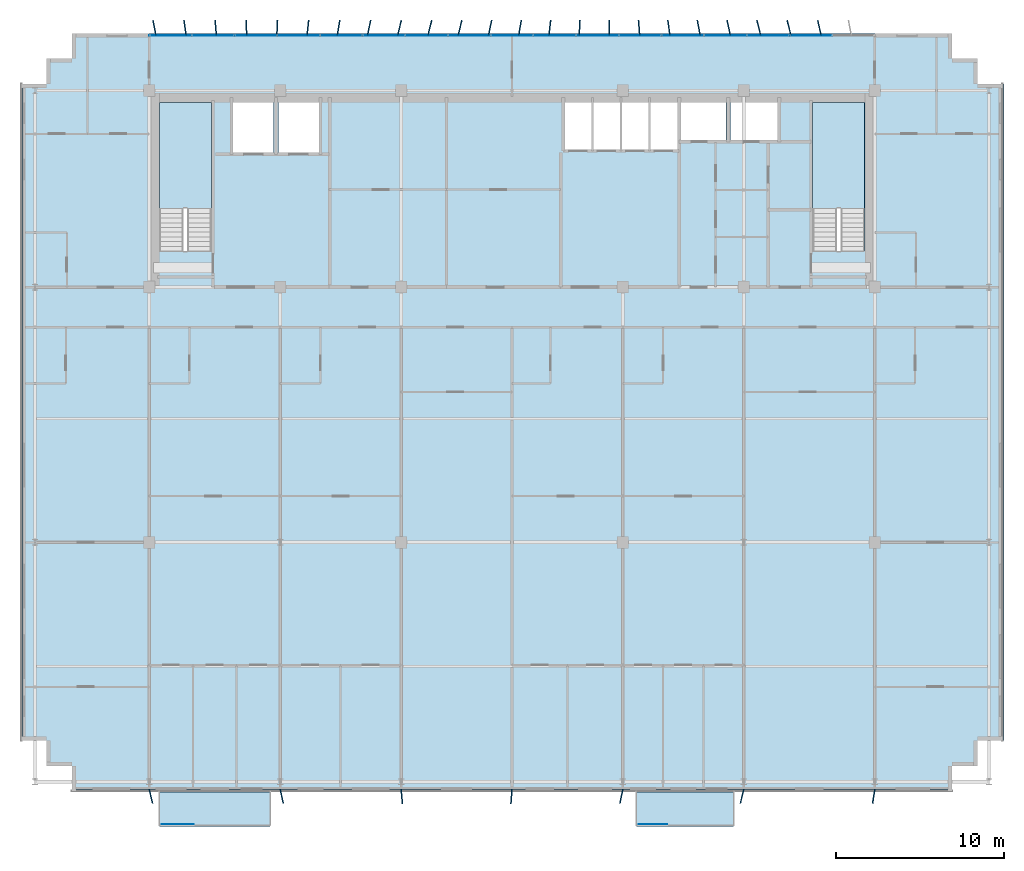
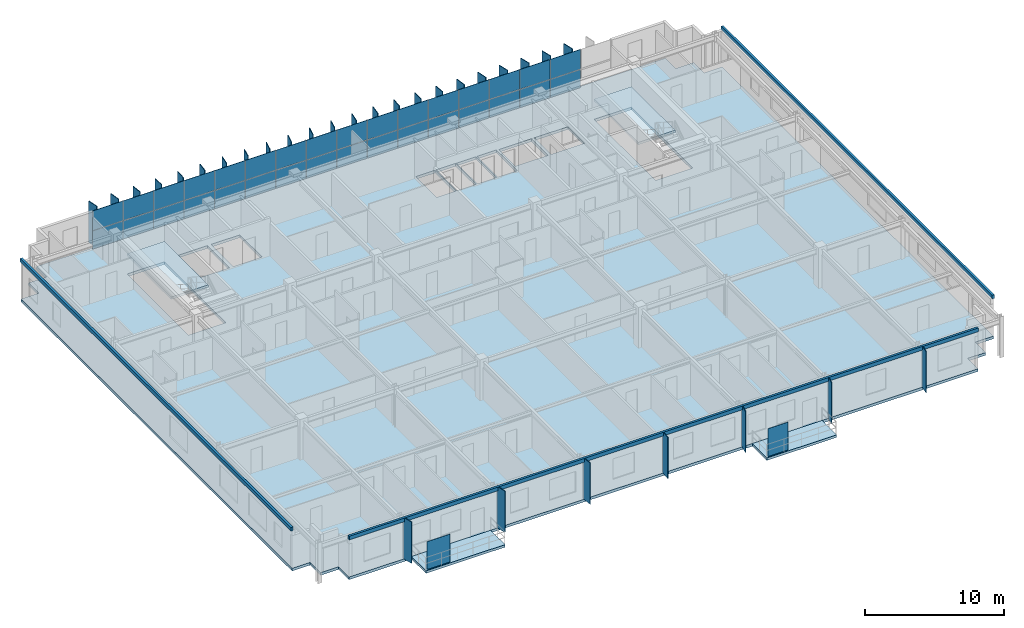
# One storey, part 15 of 23: 67 plates, 5 slabs, 3 elements without a shape of their own.
"""IFC4 building model written with IfcOpenShell, lengths in metres."""

from ifc_helpers import new_model, si_unit, direction, frame, origin, origin_2d, place, context, subcontext, project, spatial, polyline, rectangle, outline, extrude, source, transform, mapped, material, layer, layer_set, type_object, element, aggregate, save


model = new_model("IFC4")

# Units and contexts
model_context = context("Model", 3, precision=1e-05, world=origin(), true_north=direction((0.0, 1.0)))
body_context = subcontext(model_context, "Body", "Model", "MODEL_VIEW")
ifc_project = project(units=[si_unit("LENGTHUNIT", "METRE"), si_unit("AREAUNIT", "SQUARE_METRE"), si_unit("VOLUMEUNIT", "CUBIC_METRE"), si_unit("PLANEANGLEUNIT", "RADIAN"), si_unit("MASSUNIT", "GRAM", prefix="KILO")], contexts=[model_context])

# Site, building, storey
site_placement = place(None, origin())
site = spatial("IfcSite", under=ifc_project, at=site_placement, CompositionType="ELEMENT")
building_placement = place(site_placement, origin())
building = spatial("IfcBuilding", under=site, at=building_placement, Name="Trelvane Seafront Commons", CompositionType="ELEMENT")
storey_placement = place(building_placement, frame((0.0, 0.0, 222.89990234375)))
storey = spatial("IfcBuildingStorey", under=building, at=storey_placement, Name="L58", CompositionType="ELEMENT", Elevation=222.89990234375)

# Slabs
ifc_material_1 = material(Name="Concrete C40/50", Category="concrete")
ifc_layer_1 = layer(ifc_material_1, 0.219970703125, Name="ARCH-BALC-220")
ifc_layer_set_1 = layer_set([ifc_layer_1], Name="Concrete C40/50")
slab_type_1 = type_object("IfcSlabType", Name="ARCH-BALC-220", PredefinedType="FLOOR", material=ifc_layer_set_1)
slab_1_placement = place(storey_placement, frame((0.0, 0.0, -0.219970703125)))
element("IfcSlab", 1, at=slab_1_placement, inside=storey, type_object=slab_type_1, Name="L58 Cantilevered Tree Balcony Loggia 1", PredefinedType="FLOOR", context=body_context, shape_type="SweptSolid", body=[
    extrude(outline(polyline([(16.199951171875, 1.300048828125), (22.800048828125, 1.300048828125), (22.800048828125, 3.39990234375), (16.199951171875, 3.39990234375), (16.199951171875, 1.300048828125)])), origin(), (0.0, 0.0, 1.0), 0.219970703125),
])
slab_2_placement = place(storey_placement, frame((0.0, 0.0, -0.219970703125)))
element("IfcSlab", 2, at=slab_2_placement, inside=storey, type_object=slab_type_1, Name="L58 Cantilevered Tree Balcony Loggia 2", PredefinedType="FLOOR", context=body_context, shape_type="SweptSolid", body=[
    extrude(outline(polyline([(44.60009765625, 1.300048828125), (50.39990234375, 1.300048828125), (50.39990234375, 3.39990234375), (44.60009765625, 3.39990234375), (44.60009765625, 1.300048828125)])), origin(), (0.0, 0.0, 1.0), 0.219970703125),
])

# Stair, slab
stair_type_1 = type_object("IfcStairType", Name="ARCH-STR-ST-1-R20-180", PredefinedType="HALF_TURN_STAIR", material=ifc_material_1)
stair_1_placement = place(storey_placement, origin())
stair_1 = element("IfcStair", 3, at=stair_1_placement, inside=storey, type_object=stair_type_1, Name="L58 West Protected Firefighting Exit Stair ST-1", PredefinedType="HALF_TURN_STAIR")
ifc_layer_2 = layer(ifc_material_1, 0.199951171875, Name="ARCH-LND-200")
ifc_layer_set_2 = layer_set([ifc_layer_2], Name="Concrete C40/50")
slab_type_2 = type_object("IfcSlabType", Name="ARCH-LND-200", PredefinedType="LANDING", material=ifc_layer_set_2)
slab_3_placement = place(storey_placement, frame((0.0, 0.0, 1.60009765625)))
slab_3 = element("IfcSlab", 4, at=slab_3_placement, type_object=slab_type_2, Name="ST-1 landing 1", PredefinedType="LANDING", context=body_context, shape_type="SweptSolid", body=[
    extrude(outline(polyline([(19.300048828125, 38.070068359375), (19.300048828125, 44.39990234375), (16.199951171875, 44.39990234375), (16.199951171875, 38.070068359375), (19.300048828125, 38.070068359375)])), origin(), (0.0, 0.0, 1.0), 0.199951171875),
])
aggregate(stair_1, [slab_3])

stair_type_2 = type_object("IfcStairType", Name="ARCH-STR-ST-2-R20-180", PredefinedType="HALF_TURN_STAIR", material=ifc_material_1)
stair_2_placement = place(storey_placement, origin())
stair_2 = element("IfcStair", 5, at=stair_2_placement, inside=storey, type_object=stair_type_2, Name="L58 East Protected Firefighting Exit Stair ST-2", PredefinedType="HALF_TURN_STAIR")
slab_4_placement = place(storey_placement, frame((0.0, 0.0, 1.60009765625)))
slab_4 = element("IfcSlab", 6, at=slab_4_placement, type_object=slab_type_2, Name="ST-2 landing 1", PredefinedType="LANDING", context=body_context, shape_type="SweptSolid", body=[
    extrude(outline(polyline([(58.199951171875, 38.070068359375), (58.199951171875, 44.39990234375), (55.10009765625, 44.39990234375), (55.10009765625, 38.070068359375), (58.199951171875, 38.070068359375)])), origin(), (0.0, 0.0, 1.0), 0.199951171875),
])
aggregate(stair_2, [slab_4])

# Slab
ifc_material_2 = material(Name="Concrete C50/60", Category="concrete")
ifc_layer_3 = layer(ifc_material_2, 0.239990234375, Name="STR-SLB-Z4-240")
ifc_layer_set_3 = layer_set([ifc_layer_3], Name="Concrete C50/60")
slab_type_3 = type_object("IfcSlabType", Name="STR-SLB-Z4-240", PredefinedType="FLOOR", material=ifc_layer_set_3)
slab_5_placement = place(storey_placement, frame((0.0, 0.0, -0.239990234375)))
element("IfcSlab", 7, at=slab_5_placement, inside=storey, type_object=slab_type_3, Name="L58 Structural Floor Slab", PredefinedType="FLOOR", context=body_context, shape_type="SweptSolid", body=[
    extrude(outline(polyline([(11.0, 3.39990234375), (63.39990234375, 3.39990234375), (63.39990234375, 4.89990234375), (64.89990234375, 4.89990234375), (64.89990234375, 6.39990234375), (66.39990234375, 6.39990234375), (66.39990234375, 45.5), (64.89990234375, 45.5), (64.89990234375, 47.0), (63.39990234375, 47.0), (63.39990234375, 48.5), (11.0, 48.5), (11.0, 47.0), (9.5, 47.0), (9.5, 45.5), (8.0, 45.5), (8.0, 6.39990234375), (9.5, 6.39990234375), (9.5, 4.89990234375), (11.0, 4.89990234375), (11.0, 3.39990234375)]), holes=[polyline([(19.300048828125, 35.550048828125), (16.199951171875, 35.550048828125), (16.199951171875, 44.39990234375), (19.300048828125, 44.39990234375), (19.300048828125, 35.550048828125)]), polyline([(58.199951171875, 35.550048828125), (55.10009765625, 35.550048828125), (55.10009765625, 44.39990234375), (58.199951171875, 44.39990234375), (58.199951171875, 35.550048828125)]), polyline([(23.0, 41.39990234375), (20.60009765625, 41.39990234375), (20.60009765625, 44.60009765625), (23.0, 44.60009765625), (23.0, 41.39990234375)]), polyline([(23.300048828125, 41.39990234375), (23.300048828125, 44.60009765625), (25.699951171875, 44.60009765625), (25.699951171875, 41.39990234375), (23.300048828125, 41.39990234375)]), polyline([(40.35009765625, 41.60009765625), (40.35009765625, 44.60009765625), (41.969970703125, 44.60009765625), (41.969970703125, 41.60009765625), (40.35009765625, 41.60009765625)]), polyline([(43.669921875, 41.60009765625), (42.050048828125, 41.60009765625), (42.050048828125, 44.60009765625), (43.669921875, 44.60009765625), (43.669921875, 41.60009765625)]), polyline([(45.3701171875, 41.60009765625), (43.75, 41.60009765625), (43.75, 44.60009765625), (45.3701171875, 44.60009765625), (45.3701171875, 41.60009765625)]), polyline([(47.070068359375, 41.60009765625), (45.449951171875, 41.60009765625), (45.449951171875, 44.60009765625), (47.070068359375, 44.60009765625), (47.070068359375, 41.60009765625)]), polyline([(47.25, 42.14990234375), (47.25, 44.550048828125), (49.949951171875, 44.550048828125), (49.949951171875, 42.14990234375), (47.25, 42.14990234375)]), polyline([(50.199951171875, 42.14990234375), (50.199951171875, 44.550048828125), (53.0, 44.550048828125), (53.0, 42.14990234375), (50.199951171875, 42.14990234375)])]), origin(), (0.0, 0.0, 1.0), 0.239990234375),
])

# Plates
ifc_material_3 = material(Name="Perforated anodised aluminium screen", Category="aluminium")
ifc_layer_4 = layer(ifc_material_3, 0.01611328125, Name="ARCH-PLATE-SCREEN")
ifc_layer_set_4 = layer_set([ifc_layer_4], Name="Perforated anodised aluminium screen")
plate_type_1 = type_object("IfcPlateType", Name="ARCH-PLATE-SCREEN", PredefinedType="USERDEFINED", material=ifc_layer_set_4)
shared_shape_1 = source(origin(), body_context, "Body", "SweptSolid", [
    extrude(rectangle(XDim=1.9140625, YDim=0.01611328125, at=origin_2d()), origin(), (0.0, 0.0, 1.0), 2.449951171875),
])
plate_1_placement = place(storey_placement, frame((17.306884765625, 1.419921875, 0.0), z_axis=(0.0, 0.0, 1.0), x_axis=(1.0, 0.0, 0.0)))
element("IfcPlate", 8, at=plate_1_placement, inside=storey, type_object=plate_type_1, Name="SCR-L58-00204", ObjectType="SCREEN", PredefinedType="USERDEFINED", context=body_context, shape_type="MappedRepresentation", body=[
    mapped(shared_shape_1, transform((0.0, 0.0, 0.0), x_axis=(1.0, 0.0, 0.0), y_axis=(0.0, 1.0, 0.0), z_axis=(0.0, 0.0, 1.0), scale=1.0)),
])
shared_shape_2 = source(origin(), body_context, "Body", "SweptSolid", [
    extrude(rectangle(XDim=1.681884765625, YDim=0.01611328125, at=origin_2d()), origin(), (0.0, 0.0, 1.0), 2.449951171875),
])
plate_2_placement = place(storey_placement, frame((45.591064453125, 1.419921875, 0.0), z_axis=(0.0, 0.0, 1.0), x_axis=(1.0, 0.0, 0.0)))
element("IfcPlate", 9, at=plate_2_placement, inside=storey, type_object=plate_type_1, Name="SCR-L58-00205", ObjectType="SCREEN", PredefinedType="USERDEFINED", context=body_context, shape_type="MappedRepresentation", body=[
    mapped(shared_shape_2, transform((0.0, 0.0, 0.0), x_axis=(1.0, 0.0, 0.0), y_axis=(0.0, 1.0, 0.0), z_axis=(0.0, 0.0, 1.0), scale=1.0)),
])
ifc_material_4 = material(Name="Anodised pale-silver aluminium", Category="aluminium")
ifc_layer_5 = layer(ifc_material_4, 0.06005859375, Name="ARCH-PLATE-FIN900")
ifc_layer_set_5 = layer_set([ifc_layer_5], Name="Anodised pale-silver aluminium")
plate_type_2 = type_object("IfcPlateType", Name="ARCH-PLATE-FIN900", PredefinedType="USERDEFINED", material=ifc_layer_set_5)
shared_shape_3 = source(origin(), body_context, "Body", "SweptSolid", [
    extrude(rectangle(XDim=0.89990234375, YDim=0.06005859375, at=origin_2d()), origin(), (0.0, 0.0, 1.0), 3.639892578125),
])
for number, where, z_axis, x_axis, name in (
    (10, (15.913818359375, 48.841796875, -0.02001953125), (0.0, 0.0, 1.0), (-0.191220161658, 0.981547171447, 0.0), "FIN-L58-01604"),
    (11, (17.735107421875, 48.84521484375, -0.02001953125), (0.0, 0.0, 1.0), (-0.144112682821, 0.989561283928, 0.0), "FIN-L58-01605"),
    (12, (19.561279296875, 48.848388671875, -0.02001953125), (0.0, 0.0, 1.0), (-0.085995979225, 0.996295484059, 0.0), "FIN-L58-01606"),
    (13, (21.390380859375, 48.849853515625, -0.02001953125), (0.0, 0.0, 1.0), (-0.021221610499, 0.999774796266, 0.0), "FIN-L58-01607"),
    (14, (23.22021484375, 48.849609375, -0.02001953125), (0.0, 0.0, 1.0), (0.045221761539, 0.998976972849, 0.0), "FIN-L58-01608"),
    (15, (25.048583984375, 48.847412109375, -0.02001953125), (0.0, 0.0, 1.0), (0.108113872959, 0.994138516744, 0.0), "FIN-L58-01609"),
    (16, (26.873291015625, 48.843994140625, -0.02001953125), (0.0, 0.0, 1.0), (0.162668162768, 0.986680834324, 0.0), "FIN-L58-01610"),
    (17, (28.692138671875, 48.840576171875, -0.02001953125), (0.0, 0.0, 1.0), (0.204890686211, 0.978784862319, 0.0), "FIN-L58-01611"),
    (18, (30.50439453125, 48.837646484375, -0.02001953125), (0.0, 0.0, 1.0), (0.231880330854, 0.972744320036, 0.0), "FIN-L58-01612"),
    (19, (32.308837890625, 48.836669921875, -0.02001953125), (0.0, 0.0, 1.0), (0.241881251735, 0.970305859025, 0.0), "FIN-L58-01613"),
    (20, (34.10546875, 48.83740234375, -0.02001953125), (0.0, 0.0, 1.0), (0.234214079679, 0.972185046624, 0.0), "FIN-L58-01614"),
    (21, (35.894287109375, 48.840087890625, -0.02001953125), (0.0, 0.0, 1.0), (0.209558833134, 0.977796039804, 0.0), "FIN-L58-01615"),
    (22, (37.676025390625, 48.843505859375, -0.02001953125), (0.0, 0.0, 1.0), (0.169225653885, 0.985577332363, 0.0), "FIN-L58-01616"),
    (23, (39.4521484375, 48.846923828125, -0.02001953125), (0.0, 0.0, 1.0), (0.116112560753, 0.993236061184, 0.0), "FIN-L58-01617"),
    (24, (41.224365234375, 48.849365234375, -0.02001953125), (0.0, 0.0, 1.0), (0.054110182913, 0.998534970897, 0.0), "FIN-L58-01618"),
    (25, (42.99462890625, 48.849853515625, -0.02001953125), (0.0, 0.0, 1.0), (-0.012112288829, 0.999926643539, 0.0), "FIN-L58-01619"),
    (26, (44.76513671875, 48.8486328125, -0.02001953125), (0.0, 0.0, 1.0), (-0.077444665028, 0.996996651879, 0.0), "FIN-L58-01620"),
    (27, (46.538330078125, 48.845703125, -0.02001953125), (0.0, 0.0, 1.0), (-0.136784127255, 0.990600879533, 0.0), "FIN-L58-01621"),
    (28, (48.31640625, 48.84228515625, -0.02001953125), (0.0, 0.0, 1.0), (-0.185549995244, 0.982634824981, 0.0), "FIN-L58-01622"),
    (29, (50.100830078125, 48.8388671875, -0.02001953125), (0.0, 0.0, 1.0), (-0.220435273856, 0.975401604489, 0.0), "FIN-L58-01623"),
    (30, (51.892333984375, 48.8369140625, -0.02001953125), (0.0, 0.0, 1.0), (-0.239109698229, 0.970992560328, 0.0), "FIN-L58-01624"),
    (31, (53.69189453125, 48.8369140625, -0.02001953125), (0.0, 0.0, 1.0), (-0.240234819351, 0.970714804446, 0.0), "FIN-L58-01625"),
    (32, (55.499267578125, 48.83837890625, -0.02001953125), (0.0, 0.0, 1.0), (-0.224007117856, 0.974587508205, 0.0), "FIN-L58-01626"),
):
    element("IfcPlate", number, at=place(storey_placement, frame(where, z_axis=z_axis, x_axis=x_axis)), inside=storey, type_object=plate_type_2, Name=name, ObjectType="FIN", PredefinedType="USERDEFINED", context=body_context, shape_type="MappedRepresentation", body=[
        mapped(shared_shape_3, transform((0.0, 0.0, 0.0), x_axis=(1.0, 0.0, 0.0), y_axis=(0.0, 1.0, 0.0), z_axis=(0.0, 0.0, 1.0), scale=1.0)),
    ])
shared_shape_4 = source(origin(), body_context, "Body", "SweptSolid", [
    extrude(rectangle(XDim=0.85009765625, YDim=0.06005859375, at=origin_2d()), origin(), (0.0, 0.0, 1.0), 3.639892578125),
])
for number, where, z_axis, x_axis, name in (
    (33, (15.70068359375, 3.087158203125, -0.02001953125), (0.0, 0.0, 1.0), (0.236939885153, -0.971524313038, 0.0), "FIN-S-L58-01628"),
    (34, (23.49072265625, 3.084716796875, -0.02001953125), (0.0, 0.0, 1.0), (0.213528296325, -0.976936879572, 0.0), "FIN-S-L58-01629"),
    (35, (30.63818359375, 3.07666015625, -0.02001953125), (0.0, 0.0, 1.0), (0.08987819883, -0.99595276463, 0.0), "FIN-S-L58-01630"),
    (36, (37.1669921875, 3.076416015625, -0.02001953125), (0.0, 0.0, 1.0), (-0.077416823599, -0.996998814154, 0.0), "FIN-S-L58-01631"),
    (37, (43.7119140625, 3.084228515625, -0.02001953125), (0.0, 0.0, 1.0), (-0.207054601937, -0.978329388201, 0.0), "FIN-S-L58-01632"),
    (38, (50.8984375, 3.08740234375, -0.02001953125), (0.0, 0.0, 1.0), (-0.2391842644, -0.970974195158, 0.0), "FIN-S-L58-01633"),
    (39, (58.73193359375, 3.08056640625, -0.02001953125), (0.0, 0.0, 1.0), (-0.160237812954, -0.987078438271, 0.0), "FIN-S-L58-01634"),
):
    element("IfcPlate", number, at=place(storey_placement, frame(where, z_axis=z_axis, x_axis=x_axis)), inside=storey, type_object=plate_type_2, Name=name, ObjectType="FIN", PredefinedType="USERDEFINED", context=body_context, shape_type="MappedRepresentation", body=[
        mapped(shared_shape_4, transform((0.0, 0.0, 0.0), x_axis=(1.0, 0.0, 0.0), y_axis=(0.0, 1.0, 0.0), z_axis=(0.0, 0.0, 1.0), scale=1.0)),
    ])

# Curtain wall, plates
curtain_wall_type = type_object("IfcCurtainWallType", Name="ARCH-CW5-UPTOWER", PredefinedType="NOTDEFINED", material=ifc_material_4)
curtain_wall_placement = place(storey_placement, origin())
curtain_wall = element("IfcCurtainWall", 40, at=curtain_wall_placement, inside=storey, type_object=curtain_wall_type, Name="CW-L58-0101", PredefinedType="NOTDEFINED")
ifc_material_5 = material(Name="Low-E coastal double glazing", Category="glass")
ifc_layer_6 = layer(ifc_material_5, 0.033935546875, Name="ARCH-CW-GLAZ-34")
ifc_layer_set_6 = layer_set([ifc_layer_6], Name="Low-E coastal double glazing")
plate_type_3 = type_object("IfcPlateType", Name="ARCH-CW-GLAZ-34", PredefinedType="CURTAIN_PANEL", material=ifc_layer_set_6)
shared_shape_5 = source(origin(), body_context, "Body", "SweptSolid", [
    extrude(rectangle(XDim=2.51708984375, YDim=0.033935546875, at=origin_2d()), origin(), (0.0, 0.0, 1.0), 1.594970703125),
])
plate_3_placement = place(storey_placement, frame((16.87060546875, 48.3701171875, 0.0), z_axis=(0.0, 0.0, 1.0), x_axis=(1.0, 0.0, 0.0)))
plate_3 = element("IfcPlate", 41, at=plate_3_placement, type_object=plate_type_3, Name="CW-L58-0101-P00-1", PredefinedType="CURTAIN_PANEL", context=body_context, shape_type="MappedRepresentation", body=[
    mapped(shared_shape_5, transform((0.0, 0.0, 0.0), x_axis=(1.0, 0.0, 0.0), y_axis=(0.0, 1.0, 0.0), z_axis=(0.0, 0.0, 1.0), scale=1.0)),
])
plate_4_placement = place(storey_placement, frame((19.411865234375, 48.3701171875, 0.0), z_axis=(0.0, 0.0, 1.0), x_axis=(1.0, 0.0, 0.0)))
plate_4 = element("IfcPlate", 42, at=plate_4_placement, type_object=plate_type_3, Name="CW-L58-0101-P01-1", PredefinedType="CURTAIN_PANEL", context=body_context, shape_type="MappedRepresentation", body=[
    mapped(shared_shape_5, transform((0.0, 0.0, 0.0), x_axis=(1.0, 0.0, 0.0), y_axis=(0.0, 1.0, 0.0), z_axis=(0.0, 0.0, 1.0), scale=1.0)),
])
plate_5_placement = place(storey_placement, frame((21.952880859375, 48.3701171875, 0.0), z_axis=(0.0, 0.0, 1.0), x_axis=(1.0, 0.0, 0.0)))
plate_5 = element("IfcPlate", 43, at=plate_5_placement, type_object=plate_type_3, Name="CW-L58-0101-P02-1", PredefinedType="CURTAIN_PANEL", context=body_context, shape_type="MappedRepresentation", body=[
    mapped(shared_shape_5, transform((0.0, 0.0, 0.0), x_axis=(1.0, 0.0, 0.0), y_axis=(0.0, 1.0, 0.0), z_axis=(0.0, 0.0, 1.0), scale=1.0)),
])
plate_6_placement = place(storey_placement, frame((24.494140625, 48.3701171875, 0.0), z_axis=(0.0, 0.0, 1.0), x_axis=(1.0, 0.0, 0.0)))
plate_6 = element("IfcPlate", 44, at=plate_6_placement, type_object=plate_type_3, Name="CW-L58-0101-P03-1", PredefinedType="CURTAIN_PANEL", context=body_context, shape_type="MappedRepresentation", body=[
    mapped(shared_shape_5, transform((0.0, 0.0, 0.0), x_axis=(1.0, 0.0, 0.0), y_axis=(0.0, 1.0, 0.0), z_axis=(0.0, 0.0, 1.0), scale=1.0)),
])
plate_7_placement = place(storey_placement, frame((27.035400390625, 48.3701171875, 0.0), z_axis=(0.0, 0.0, 1.0), x_axis=(1.0, 0.0, 0.0)))
plate_7 = element("IfcPlate", 45, at=plate_7_placement, type_object=plate_type_3, Name="CW-L58-0101-P04-1", PredefinedType="CURTAIN_PANEL", context=body_context, shape_type="MappedRepresentation", body=[
    mapped(shared_shape_5, transform((0.0, 0.0, 0.0), x_axis=(1.0, 0.0, 0.0), y_axis=(0.0, 1.0, 0.0), z_axis=(0.0, 0.0, 1.0), scale=1.0)),
])
plate_8_placement = place(storey_placement, frame((29.576416015625, 48.3701171875, 0.0), z_axis=(0.0, 0.0, 1.0), x_axis=(1.0, 0.0, 0.0)))
plate_8 = element("IfcPlate", 46, at=plate_8_placement, type_object=plate_type_3, Name="CW-L58-0101-P05-1", PredefinedType="CURTAIN_PANEL", context=body_context, shape_type="MappedRepresentation", body=[
    mapped(shared_shape_5, transform((0.0, 0.0, 0.0), x_axis=(1.0, 0.0, 0.0), y_axis=(0.0, 1.0, 0.0), z_axis=(0.0, 0.0, 1.0), scale=1.0)),
])
plate_9_placement = place(storey_placement, frame((32.11767578125, 48.3701171875, 0.0), z_axis=(0.0, 0.0, 1.0), x_axis=(1.0, 0.0, 0.0)))
plate_9 = element("IfcPlate", 47, at=plate_9_placement, type_object=plate_type_3, Name="CW-L58-0101-P06-1", PredefinedType="CURTAIN_PANEL", context=body_context, shape_type="MappedRepresentation", body=[
    mapped(shared_shape_5, transform((0.0, 0.0, 0.0), x_axis=(1.0, 0.0, 0.0), y_axis=(0.0, 1.0, 0.0), z_axis=(0.0, 0.0, 1.0), scale=1.0)),
])
plate_10_placement = place(storey_placement, frame((34.65869140625, 48.3701171875, 0.0), z_axis=(0.0, 0.0, 1.0), x_axis=(1.0, 0.0, 0.0)))
plate_10 = element("IfcPlate", 48, at=plate_10_placement, type_object=plate_type_3, Name="CW-L58-0101-P07-1", PredefinedType="CURTAIN_PANEL", context=body_context, shape_type="MappedRepresentation", body=[
    mapped(shared_shape_5, transform((0.0, 0.0, 0.0), x_axis=(1.0, 0.0, 0.0), y_axis=(0.0, 1.0, 0.0), z_axis=(0.0, 0.0, 1.0), scale=1.0)),
])
plate_11_placement = place(storey_placement, frame((37.199951171875, 48.3701171875, 0.0), z_axis=(0.0, 0.0, 1.0), x_axis=(1.0, 0.0, 0.0)))
plate_11 = element("IfcPlate", 49, at=plate_11_placement, type_object=plate_type_3, Name="CW-L58-0101-P08-1", PredefinedType="CURTAIN_PANEL", context=body_context, shape_type="MappedRepresentation", body=[
    mapped(shared_shape_5, transform((0.0, 0.0, 0.0), x_axis=(1.0, 0.0, 0.0), y_axis=(0.0, 1.0, 0.0), z_axis=(0.0, 0.0, 1.0), scale=1.0)),
])
plate_12_placement = place(storey_placement, frame((39.7412109375, 48.3701171875, 0.0), z_axis=(0.0, 0.0, 1.0), x_axis=(1.0, 0.0, 0.0)))
plate_12 = element("IfcPlate", 50, at=plate_12_placement, type_object=plate_type_3, Name="CW-L58-0101-P09-1", PredefinedType="CURTAIN_PANEL", context=body_context, shape_type="MappedRepresentation", body=[
    mapped(shared_shape_5, transform((0.0, 0.0, 0.0), x_axis=(1.0, 0.0, 0.0), y_axis=(0.0, 1.0, 0.0), z_axis=(0.0, 0.0, 1.0), scale=1.0)),
])
plate_13_placement = place(storey_placement, frame((42.282470703125, 48.3701171875, 0.0), z_axis=(0.0, 0.0, 1.0), x_axis=(1.0, 0.0, 0.0)))
plate_13 = element("IfcPlate", 51, at=plate_13_placement, type_object=plate_type_3, Name="CW-L58-0101-P10-1", PredefinedType="CURTAIN_PANEL", context=body_context, shape_type="MappedRepresentation", body=[
    mapped(shared_shape_5, transform((0.0, 0.0, 0.0), x_axis=(1.0, 0.0, 0.0), y_axis=(0.0, 1.0, 0.0), z_axis=(0.0, 0.0, 1.0), scale=1.0)),
])
plate_14_placement = place(storey_placement, frame((44.823486328125, 48.3701171875, 0.0), z_axis=(0.0, 0.0, 1.0), x_axis=(1.0, 0.0, 0.0)))
plate_14 = element("IfcPlate", 52, at=plate_14_placement, type_object=plate_type_3, Name="CW-L58-0101-P11-1", PredefinedType="CURTAIN_PANEL", context=body_context, shape_type="MappedRepresentation", body=[
    mapped(shared_shape_5, transform((0.0, 0.0, 0.0), x_axis=(1.0, 0.0, 0.0), y_axis=(0.0, 1.0, 0.0), z_axis=(0.0, 0.0, 1.0), scale=1.0)),
])
plate_15_placement = place(storey_placement, frame((47.36474609375, 48.3701171875, 0.0), z_axis=(0.0, 0.0, 1.0), x_axis=(1.0, 0.0, 0.0)))
plate_15 = element("IfcPlate", 53, at=plate_15_placement, type_object=plate_type_3, Name="CW-L58-0101-P12-1", PredefinedType="CURTAIN_PANEL", context=body_context, shape_type="MappedRepresentation", body=[
    mapped(shared_shape_5, transform((0.0, 0.0, 0.0), x_axis=(1.0, 0.0, 0.0), y_axis=(0.0, 1.0, 0.0), z_axis=(0.0, 0.0, 1.0), scale=1.0)),
])
plate_16_placement = place(storey_placement, frame((49.906005859375, 48.3701171875, 0.0), z_axis=(0.0, 0.0, 1.0), x_axis=(1.0, 0.0, 0.0)))
plate_16 = element("IfcPlate", 54, at=plate_16_placement, type_object=plate_type_3, Name="CW-L58-0101-P13-1", PredefinedType="CURTAIN_PANEL", context=body_context, shape_type="MappedRepresentation", body=[
    mapped(shared_shape_5, transform((0.0, 0.0, 0.0), x_axis=(1.0, 0.0, 0.0), y_axis=(0.0, 1.0, 0.0), z_axis=(0.0, 0.0, 1.0), scale=1.0)),
])
plate_17_placement = place(storey_placement, frame((52.447021484375, 48.3701171875, 0.0), z_axis=(0.0, 0.0, 1.0), x_axis=(1.0, 0.0, 0.0)))
plate_17 = element("IfcPlate", 55, at=plate_17_placement, type_object=plate_type_3, Name="CW-L58-0101-P14-1", PredefinedType="CURTAIN_PANEL", context=body_context, shape_type="MappedRepresentation", body=[
    mapped(shared_shape_5, transform((0.0, 0.0, 0.0), x_axis=(1.0, 0.0, 0.0), y_axis=(0.0, 1.0, 0.0), z_axis=(0.0, 0.0, 1.0), scale=1.0)),
])
plate_18_placement = place(storey_placement, frame((54.98828125, 48.3701171875, 0.0), z_axis=(0.0, 0.0, 1.0), x_axis=(1.0, 0.0, 0.0)))
plate_18 = element("IfcPlate", 56, at=plate_18_placement, type_object=plate_type_3, Name="CW-L58-0101-P15-1", PredefinedType="CURTAIN_PANEL", context=body_context, shape_type="MappedRepresentation", body=[
    mapped(shared_shape_5, transform((0.0, 0.0, 0.0), x_axis=(1.0, 0.0, 0.0), y_axis=(0.0, 1.0, 0.0), z_axis=(0.0, 0.0, 1.0), scale=1.0)),
])
shared_shape_6 = source(origin(), body_context, "Body", "SweptSolid", [
    extrude(rectangle(XDim=2.51708984375, YDim=0.033935546875, at=origin_2d()), origin(), (0.0, 0.0, 1.0), 1.72900390625),
])
plate_19_placement = place(storey_placement, frame((16.87060546875, 48.3701171875, 1.631103515625), z_axis=(0.0, 0.0, 1.0), x_axis=(1.0, 0.0, 0.0)))
plate_19 = element("IfcPlate", 57, at=plate_19_placement, type_object=plate_type_3, Name="CW-L58-0101-P00-2", PredefinedType="CURTAIN_PANEL", context=body_context, shape_type="MappedRepresentation", body=[
    mapped(shared_shape_6, transform((0.0, 0.0, 0.0), x_axis=(1.0, 0.0, 0.0), y_axis=(0.0, 1.0, 0.0), z_axis=(0.0, 0.0, 1.0), scale=1.0)),
])
plate_20_placement = place(storey_placement, frame((19.411865234375, 48.3701171875, 1.631103515625), z_axis=(0.0, 0.0, 1.0), x_axis=(1.0, 0.0, 0.0)))
plate_20 = element("IfcPlate", 58, at=plate_20_placement, type_object=plate_type_3, Name="CW-L58-0101-P01-2", PredefinedType="CURTAIN_PANEL", context=body_context, shape_type="MappedRepresentation", body=[
    mapped(shared_shape_6, transform((0.0, 0.0, 0.0), x_axis=(1.0, 0.0, 0.0), y_axis=(0.0, 1.0, 0.0), z_axis=(0.0, 0.0, 1.0), scale=1.0)),
])
plate_21_placement = place(storey_placement, frame((21.952880859375, 48.3701171875, 1.631103515625), z_axis=(0.0, 0.0, 1.0), x_axis=(1.0, 0.0, 0.0)))
plate_21 = element("IfcPlate", 59, at=plate_21_placement, type_object=plate_type_3, Name="CW-L58-0101-P02-2", PredefinedType="CURTAIN_PANEL", context=body_context, shape_type="MappedRepresentation", body=[
    mapped(shared_shape_6, transform((0.0, 0.0, 0.0), x_axis=(1.0, 0.0, 0.0), y_axis=(0.0, 1.0, 0.0), z_axis=(0.0, 0.0, 1.0), scale=1.0)),
])
plate_22_placement = place(storey_placement, frame((24.494140625, 48.3701171875, 1.631103515625), z_axis=(0.0, 0.0, 1.0), x_axis=(1.0, 0.0, 0.0)))
plate_22 = element("IfcPlate", 60, at=plate_22_placement, type_object=plate_type_3, Name="CW-L58-0101-P03-2", PredefinedType="CURTAIN_PANEL", context=body_context, shape_type="MappedRepresentation", body=[
    mapped(shared_shape_6, transform((0.0, 0.0, 0.0), x_axis=(1.0, 0.0, 0.0), y_axis=(0.0, 1.0, 0.0), z_axis=(0.0, 0.0, 1.0), scale=1.0)),
])
plate_23_placement = place(storey_placement, frame((27.035400390625, 48.3701171875, 1.631103515625), z_axis=(0.0, 0.0, 1.0), x_axis=(1.0, 0.0, 0.0)))
plate_23 = element("IfcPlate", 61, at=plate_23_placement, type_object=plate_type_3, Name="CW-L58-0101-P04-2", PredefinedType="CURTAIN_PANEL", context=body_context, shape_type="MappedRepresentation", body=[
    mapped(shared_shape_6, transform((0.0, 0.0, 0.0), x_axis=(1.0, 0.0, 0.0), y_axis=(0.0, 1.0, 0.0), z_axis=(0.0, 0.0, 1.0), scale=1.0)),
])
plate_24_placement = place(storey_placement, frame((29.576416015625, 48.3701171875, 1.631103515625), z_axis=(0.0, 0.0, 1.0), x_axis=(1.0, 0.0, 0.0)))
plate_24 = element("IfcPlate", 62, at=plate_24_placement, type_object=plate_type_3, Name="CW-L58-0101-P05-2", PredefinedType="CURTAIN_PANEL", context=body_context, shape_type="MappedRepresentation", body=[
    mapped(shared_shape_6, transform((0.0, 0.0, 0.0), x_axis=(1.0, 0.0, 0.0), y_axis=(0.0, 1.0, 0.0), z_axis=(0.0, 0.0, 1.0), scale=1.0)),
])
plate_25_placement = place(storey_placement, frame((32.11767578125, 48.3701171875, 1.631103515625), z_axis=(0.0, 0.0, 1.0), x_axis=(1.0, 0.0, 0.0)))
plate_25 = element("IfcPlate", 63, at=plate_25_placement, type_object=plate_type_3, Name="CW-L58-0101-P06-2", PredefinedType="CURTAIN_PANEL", context=body_context, shape_type="MappedRepresentation", body=[
    mapped(shared_shape_6, transform((0.0, 0.0, 0.0), x_axis=(1.0, 0.0, 0.0), y_axis=(0.0, 1.0, 0.0), z_axis=(0.0, 0.0, 1.0), scale=1.0)),
])
plate_26_placement = place(storey_placement, frame((34.65869140625, 48.3701171875, 1.631103515625), z_axis=(0.0, 0.0, 1.0), x_axis=(1.0, 0.0, 0.0)))
plate_26 = element("IfcPlate", 64, at=plate_26_placement, type_object=plate_type_3, Name="CW-L58-0101-P07-2", PredefinedType="CURTAIN_PANEL", context=body_context, shape_type="MappedRepresentation", body=[
    mapped(shared_shape_6, transform((0.0, 0.0, 0.0), x_axis=(1.0, 0.0, 0.0), y_axis=(0.0, 1.0, 0.0), z_axis=(0.0, 0.0, 1.0), scale=1.0)),
])
plate_27_placement = place(storey_placement, frame((37.199951171875, 48.3701171875, 1.631103515625), z_axis=(0.0, 0.0, 1.0), x_axis=(1.0, 0.0, 0.0)))
plate_27 = element("IfcPlate", 65, at=plate_27_placement, type_object=plate_type_3, Name="CW-L58-0101-P08-2", PredefinedType="CURTAIN_PANEL", context=body_context, shape_type="MappedRepresentation", body=[
    mapped(shared_shape_6, transform((0.0, 0.0, 0.0), x_axis=(1.0, 0.0, 0.0), y_axis=(0.0, 1.0, 0.0), z_axis=(0.0, 0.0, 1.0), scale=1.0)),
])
plate_28_placement = place(storey_placement, frame((39.7412109375, 48.3701171875, 1.631103515625), z_axis=(0.0, 0.0, 1.0), x_axis=(1.0, 0.0, 0.0)))
plate_28 = element("IfcPlate", 66, at=plate_28_placement, type_object=plate_type_3, Name="CW-L58-0101-P09-2", PredefinedType="CURTAIN_PANEL", context=body_context, shape_type="MappedRepresentation", body=[
    mapped(shared_shape_6, transform((0.0, 0.0, 0.0), x_axis=(1.0, 0.0, 0.0), y_axis=(0.0, 1.0, 0.0), z_axis=(0.0, 0.0, 1.0), scale=1.0)),
])
plate_29_placement = place(storey_placement, frame((42.282470703125, 48.3701171875, 1.631103515625), z_axis=(0.0, 0.0, 1.0), x_axis=(1.0, 0.0, 0.0)))
plate_29 = element("IfcPlate", 67, at=plate_29_placement, type_object=plate_type_3, Name="CW-L58-0101-P10-2", PredefinedType="CURTAIN_PANEL", context=body_context, shape_type="MappedRepresentation", body=[
    mapped(shared_shape_6, transform((0.0, 0.0, 0.0), x_axis=(1.0, 0.0, 0.0), y_axis=(0.0, 1.0, 0.0), z_axis=(0.0, 0.0, 1.0), scale=1.0)),
])
plate_30_placement = place(storey_placement, frame((44.823486328125, 48.3701171875, 1.631103515625), z_axis=(0.0, 0.0, 1.0), x_axis=(1.0, 0.0, 0.0)))
plate_30 = element("IfcPlate", 68, at=plate_30_placement, type_object=plate_type_3, Name="CW-L58-0101-P11-2", PredefinedType="CURTAIN_PANEL", context=body_context, shape_type="MappedRepresentation", body=[
    mapped(shared_shape_6, transform((0.0, 0.0, 0.0), x_axis=(1.0, 0.0, 0.0), y_axis=(0.0, 1.0, 0.0), z_axis=(0.0, 0.0, 1.0), scale=1.0)),
])
plate_31_placement = place(storey_placement, frame((47.36474609375, 48.3701171875, 1.631103515625), z_axis=(0.0, 0.0, 1.0), x_axis=(1.0, 0.0, 0.0)))
plate_31 = element("IfcPlate", 69, at=plate_31_placement, type_object=plate_type_3, Name="CW-L58-0101-P12-2", PredefinedType="CURTAIN_PANEL", context=body_context, shape_type="MappedRepresentation", body=[
    mapped(shared_shape_6, transform((0.0, 0.0, 0.0), x_axis=(1.0, 0.0, 0.0), y_axis=(0.0, 1.0, 0.0), z_axis=(0.0, 0.0, 1.0), scale=1.0)),
])
plate_32_placement = place(storey_placement, frame((49.906005859375, 48.3701171875, 1.631103515625), z_axis=(0.0, 0.0, 1.0), x_axis=(1.0, 0.0, 0.0)))
plate_32 = element("IfcPlate", 70, at=plate_32_placement, type_object=plate_type_3, Name="CW-L58-0101-P13-2", PredefinedType="CURTAIN_PANEL", context=body_context, shape_type="MappedRepresentation", body=[
    mapped(shared_shape_6, transform((0.0, 0.0, 0.0), x_axis=(1.0, 0.0, 0.0), y_axis=(0.0, 1.0, 0.0), z_axis=(0.0, 0.0, 1.0), scale=1.0)),
])
plate_33_placement = place(storey_placement, frame((52.447021484375, 48.3701171875, 1.631103515625), z_axis=(0.0, 0.0, 1.0), x_axis=(1.0, 0.0, 0.0)))
plate_33 = element("IfcPlate", 71, at=plate_33_placement, type_object=plate_type_3, Name="CW-L58-0101-P14-2", PredefinedType="CURTAIN_PANEL", context=body_context, shape_type="MappedRepresentation", body=[
    mapped(shared_shape_6, transform((0.0, 0.0, 0.0), x_axis=(1.0, 0.0, 0.0), y_axis=(0.0, 1.0, 0.0), z_axis=(0.0, 0.0, 1.0), scale=1.0)),
])
plate_34_placement = place(storey_placement, frame((54.98828125, 48.3701171875, 1.631103515625), z_axis=(0.0, 0.0, 1.0), x_axis=(1.0, 0.0, 0.0)))
plate_34 = element("IfcPlate", 72, at=plate_34_placement, type_object=plate_type_3, Name="CW-L58-0101-P15-2", PredefinedType="CURTAIN_PANEL", context=body_context, shape_type="MappedRepresentation", body=[
    mapped(shared_shape_6, transform((0.0, 0.0, 0.0), x_axis=(1.0, 0.0, 0.0), y_axis=(0.0, 1.0, 0.0), z_axis=(0.0, 0.0, 1.0), scale=1.0)),
])
aggregate(curtain_wall, [plate_3, plate_19, plate_4, plate_20, plate_5, plate_21, plate_6, plate_22, plate_7, plate_23, plate_8, plate_24, plate_9, plate_25, plate_10, plate_26, plate_11, plate_27, plate_12, plate_28, plate_13, plate_29, plate_14, plate_30, plate_15, plate_31, plate_16, plate_32, plate_17, plate_33, plate_18, plate_34])

# Plates
ifc_layer_7 = layer(ifc_material_4, 0.179931640625, Name="ARCH-PLATE-AERO")
ifc_layer_set_7 = layer_set([ifc_layer_7], Name="Anodised pale-silver aluminium")
plate_type_4 = type_object("IfcPlateType", Name="ARCH-PLATE-AERO", PredefinedType="SHEET", material=ifc_layer_set_7)
shared_shape_7 = source(origin(), body_context, "Body", "SweptSolid", [
    extrude(rectangle(XDim=39.10009765625, YDim=0.179931640625, at=origin_2d()), origin(), (0.0, 0.0, 1.0), 0.320068359375),
])
for number, where, z_axis, x_axis, name in (
    (73, (8.0, 25.949951171875, 3.30029296875), (0.0, 0.0, 1.0), (0.0, 1.0, 0.0), "AER-L58-00202"),
    (74, (66.39990234375, 25.949951171875, 3.30029296875), (0.0, 0.0, 1.0), (0.0, -1.0, 0.0), "AER-L58-00203"),
):
    element("IfcPlate", number, at=place(storey_placement, frame(where, z_axis=z_axis, x_axis=x_axis)), inside=storey, type_object=plate_type_4, Name=name, PredefinedType="SHEET", context=body_context, shape_type="MappedRepresentation", body=[
        mapped(shared_shape_7, transform((0.0, 0.0, 0.0), x_axis=(1.0, 0.0, 0.0), y_axis=(0.0, 1.0, 0.0), z_axis=(0.0, 0.0, 1.0), scale=1.0)),
    ])
shared_shape_8 = source(origin(), body_context, "Body", "SweptSolid", [
    extrude(rectangle(XDim=52.39990234375, YDim=0.179931640625, at=origin_2d()), origin(), (0.0, 0.0, 1.0), 0.320068359375),
])
plate_35_placement = place(storey_placement, frame((37.199951171875, 3.43994140625, 3.30029296875), z_axis=(0.0, 0.0, 1.0), x_axis=(-1.0, 0.0, 0.0)))
element("IfcPlate", 75, at=plate_35_placement, inside=storey, type_object=plate_type_4, Name="AER-S-L58-00206", PredefinedType="SHEET", context=body_context, shape_type="MappedRepresentation", body=[
    mapped(shared_shape_8, transform((0.0, 0.0, 0.0), x_axis=(1.0, 0.0, 0.0), y_axis=(0.0, 1.0, 0.0), z_axis=(0.0, 0.0, 1.0), scale=1.0)),
])

save(model, "model.ifc")
